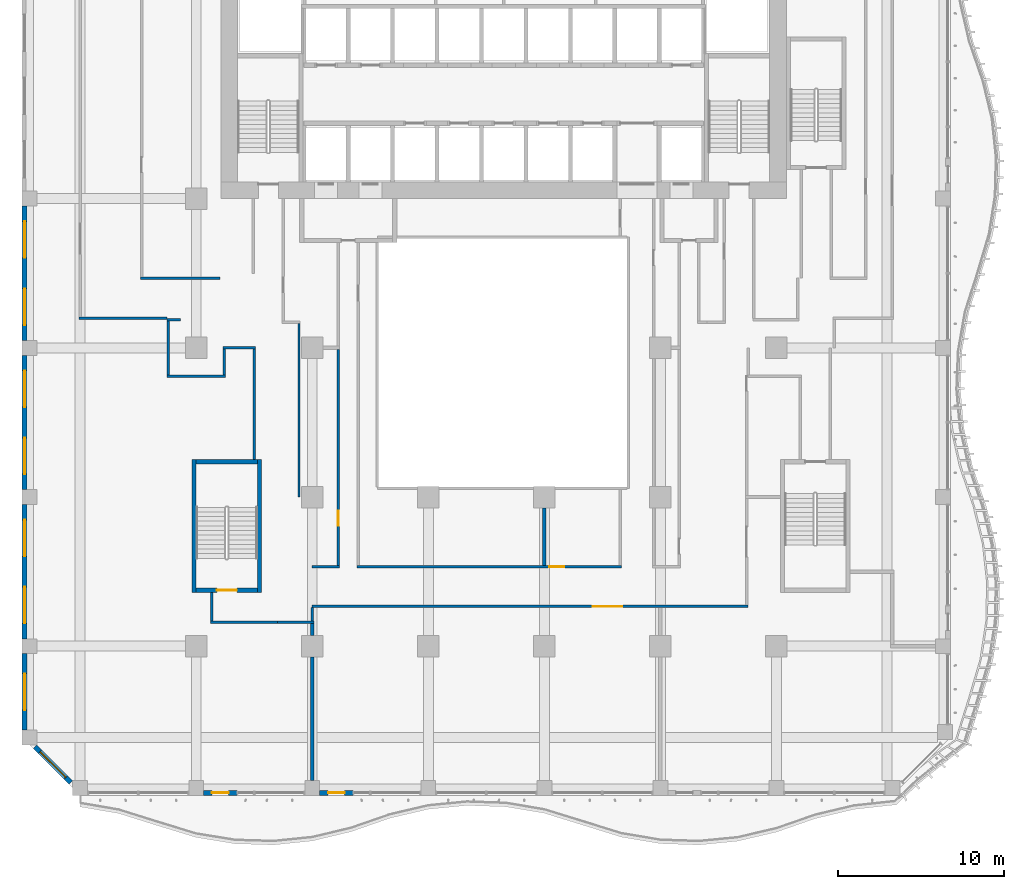
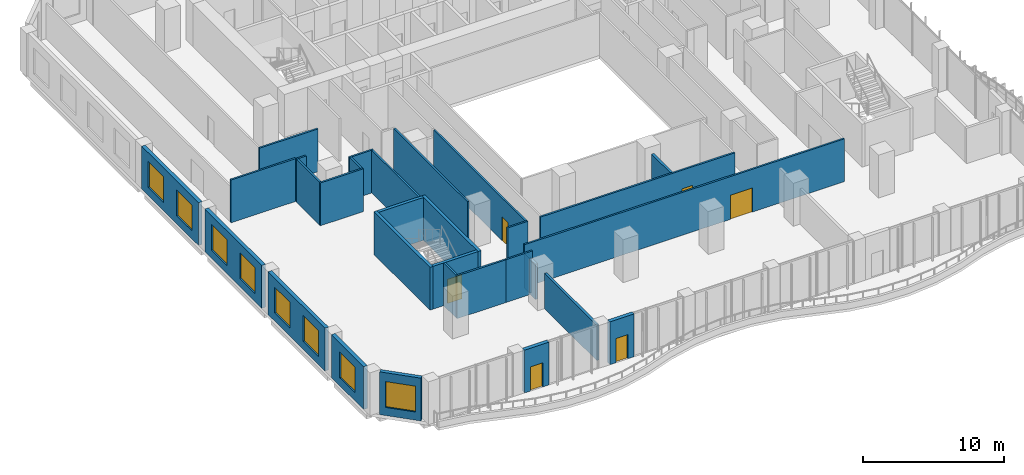
# One storey, part 12 of 27: 31 walls, 8 windows, 6 doors, 14 openings.
"""IFC4 building model written with IfcOpenShell, lengths in metres."""

from ifc_helpers import new_model, si_unit, direction, frame, frame_2d, origin, place, context, subcontext, project, spatial, rectangle, extrude, source, transform, mapped, material, layer, layer_set, type_object, element, fill, save


model = new_model("IFC4")

# Units and contexts
model_context = context("Model", 3, precision=1e-05, world=origin(), true_north=direction((0.0, 1.0)))
body_context = subcontext(model_context, "Body", "Model", "MODEL_VIEW")
ifc_project = project(units=[si_unit("LENGTHUNIT", "METRE"), si_unit("AREAUNIT", "SQUARE_METRE"), si_unit("VOLUMEUNIT", "CUBIC_METRE"), si_unit("PLANEANGLEUNIT", "RADIAN"), si_unit("MASSUNIT", "GRAM", prefix="KILO")], contexts=[model_context])

# Site, building, storey
site_placement = place(None, origin())
site = spatial("IfcSite", under=ifc_project, at=site_placement, CompositionType="ELEMENT")
building_placement = place(site_placement, origin())
building = spatial("IfcBuilding", under=site, at=building_placement, Name="Kilnfold Tower and Market Hall", CompositionType="ELEMENT")
storey_placement = place(building_placement, frame((0.0, 0.0, 43.0)))
storey = spatial("IfcBuildingStorey", under=building, at=storey_placement, Name="L09", CompositionType="ELEMENT", Elevation=43.0)

# Wall
ifc_material_1 = material(Name="Gypsum board on steel studs", Category="steel")
ifc_layer_1 = layer(ifc_material_1, 0.14990234375)
ifc_layer_set_1 = layer_set([ifc_layer_1], Name="Gypsum board on steel studs")
wall_type_1 = type_object("IfcWallType", Name="WALL CORRIDOR 150", PredefinedType="PARTITIONING", material=ifc_layer_set_1)
wall_1_placement = place(storey_placement, frame((-20.875, 3.199951171875, 0.0), z_axis=(0.0, 0.0, 1.0), x_axis=(1.0, 0.0, 0.0)))
element("IfcWall", 1, at=wall_1_placement, inside=storey, type_object=wall_type_1, Name="Partition LY08.2", PredefinedType="PARTITIONING", context=body_context, shape_type="SweptSolid", body=[
    extrude(rectangle(XDim=4.81494140625, YDim=0.14990234375, at=frame_2d((2.407470703125, 0.0))), origin(), (0.0, 0.0, 1.0), 3.719970703125),
])

# Wall, opening, door
wall_2_placement = place(storey_placement, frame((-7.804931640625, -14.199951171875, 0.0), z_axis=(0.0, 0.0, 1.0), x_axis=(1.0, 0.0, 0.0)))
wall_2 = element("IfcWall", 2, at=wall_2_placement, inside=storey, type_object=wall_type_1, Name="Partition LY08.8", PredefinedType="PARTITIONING", context=body_context, shape_type="SweptSolid", body=[
    extrude(rectangle(XDim=15.969970703125, YDim=0.14990234375, at=frame_2d((7.98486328125, 0.0))), origin(), (0.0, 0.0, 1.0), 3.719970703125),
])
opening_1_placement = place(wall_2_placement, frame((11.596923828125, 0.0, 0.0)))
opening_1 = element("IfcOpeningElement", 3, at=opening_1_placement, cuts=wall_2, Name="Opening D2", PredefinedType="OPENING", context=body_context, shape_type="SweptSolid", body=[
    extrude(rectangle(XDim=0.89990234375, YDim=2.10009765625, at=frame_2d((0.449951171875, 1.050048828125))), frame((0.0, 0.0849609375, 0.0), z_axis=(0.0, -1.0, 0.0), x_axis=(1.0, 0.0, 0.0)), (0.0, 0.0, 1.0), 0.169921875),
])
ifc_material_2 = material(Name="Timber veneer door leaf in steel frame", Category="steel")
door_type_1 = type_object("IfcDoorType", Name="DOOR ROOM 900 X2100", OperationType="NOTDEFINED", PredefinedType="DOOR", material=ifc_material_2)
door_1_placement = place(opening_1_placement, origin())
door_1 = element("IfcDoor", 4, at=door_1_placement, inside=storey, type_object=door_type_1, Name="Door D2", OperationType="SINGLE_SWING_LEFT", OverallHeight=2.10009765625, OverallWidth=0.89990234375, PredefinedType="DOOR", context=body_context, shape_type="SweptSolid", body=[
    extrude(rectangle(XDim=0.89990234375, YDim=2.10009765625, at=frame_2d((0.449951171875, 1.050048828125))), frame((0.0, 0.02490234375, 0.0), z_axis=(0.0, -1.0, 0.0), x_axis=(1.0, 0.0, 0.0)), (0.0, 0.0, 1.0), 0.050048828125),
])
fill(opening_1, door_1)

# Walls
wall_3_placement = place(storey_placement, frame((-11.300048828125, -10.010009765625, 0.0), z_axis=(0.0, 0.0, 1.0), x_axis=(0.0, 1.0, 0.0)))
element("IfcWall", 5, at=wall_3_placement, inside=storey, type_object=wall_type_1, Name="Partition LY08.9", PredefinedType="PARTITIONING", context=body_context, shape_type="SweptSolid", body=[
    extrude(rectangle(XDim=10.485107421875, YDim=0.14990234375, at=frame_2d((5.24267578125, 0.0))), origin(), (0.0, 0.0, 1.0), 3.719970703125),
])
wall_4_placement = place(storey_placement, frame((-10.510009765625, -14.199951171875, 0.0), z_axis=(0.0, 0.0, 1.0), x_axis=(1.0, 0.0, 0.0)))
element("IfcWall", 6, at=wall_4_placement, inside=storey, type_object=wall_type_1, Name="Partition LY08.10", PredefinedType="PARTITIONING", context=body_context, shape_type="SweptSolid", body=[
    extrude(rectangle(XDim=1.655029296875, YDim=0.14990234375, at=frame_2d((0.82763671875, 0.0))), origin(), (0.0, 0.0, 1.0), 3.719970703125),
])

# Wall, opening, door
wall_5_placement = place(storey_placement, frame((-8.929931640625, -14.125, 0.0), z_axis=(0.0, 0.0, 1.0), x_axis=(0.0, 1.0, 0.0)))
wall_5 = element("IfcWall", 7, at=wall_5_placement, inside=storey, type_object=wall_type_1, Name="Partition LY08.11", PredefinedType="PARTITIONING", context=body_context, shape_type="SweptSolid", body=[
    extrude(rectangle(XDim=13.034912109375, YDim=0.14990234375, at=frame_2d((6.517578125, 0.0))), origin(), (0.0, 0.0, 1.0), 3.719970703125),
])
opening_2_placement = place(wall_5_placement, frame((2.406982421875, 0.0, 0.0)))
opening_2 = element("IfcOpeningElement", 8, at=opening_2_placement, cuts=wall_5, Name="Opening D2", PredefinedType="OPENING", context=body_context, shape_type="SweptSolid", body=[
    extrude(rectangle(XDim=0.89990234375, YDim=2.10009765625, at=frame_2d((0.449951171875, 1.050048828125))), frame((0.0, 0.0849609375, 0.0), z_axis=(0.0, -1.0, 0.0), x_axis=(1.0, 0.0, 0.0)), (0.0, 0.0, 1.0), 0.169921875),
])
door_2_placement = place(opening_2_placement, origin())
door_2 = element("IfcDoor", 9, at=door_2_placement, inside=storey, type_object=door_type_1, Name="Door D2", OperationType="SINGLE_SWING_RIGHT", OverallHeight=2.10009765625, OverallWidth=0.89990234375, PredefinedType="DOOR", context=body_context, shape_type="SweptSolid", body=[
    extrude(rectangle(XDim=0.89990234375, YDim=2.10009765625, at=frame_2d((0.449951171875, 1.050048828125))), frame((0.0, 0.02490234375, 0.0), z_axis=(0.0, -1.0, 0.0), x_axis=(1.0, 0.0, 0.0)), (0.0, 0.0, 1.0), 0.050048828125),
])
fill(opening_2, door_2)

# Walls
wall_6_placement = place(storey_placement, frame((-16.625, -17.550048828125, 0.0), z_axis=(0.0, 0.0, 1.0), x_axis=(1.0, 0.0, 0.0)))
element("IfcWall", 10, at=wall_6_placement, inside=storey, type_object=wall_type_1, Name="Partition LY08.30", PredefinedType="PARTITIONING", context=body_context, shape_type="SweptSolid", body=[
    extrude(rectangle(XDim=4.02294921875, YDim=0.14990234375, at=frame_2d((2.011474609375, 0.0))), origin(), (0.0, 0.0, 1.0), 3.719970703125),
])
wall_7_placement = place(storey_placement, frame((-16.550048828125, -15.75, 0.0), z_axis=(0.0, 0.0, 1.0), x_axis=(0.0, -1.0, 0.0)))
element("IfcWall", 11, at=wall_7_placement, inside=storey, type_object=wall_type_1, Name="Partition LY08.31", PredefinedType="PARTITIONING", context=body_context, shape_type="SweptSolid", body=[
    extrude(rectangle(XDim=1.72509765625, YDim=0.14990234375, at=frame_2d((0.862548828125, 0.0))), origin(), (0.0, 0.0, 1.0), 3.719970703125),
])
wall_8_placement = place(storey_placement, frame((-14.0, -1.074951171875, 0.0), z_axis=(0.0, 0.0, 1.0), x_axis=(0.0, -1.0, 0.0)))
element("IfcWall", 12, at=wall_8_placement, inside=storey, type_object=wall_type_1, Name="Partition LY08.32", PredefinedType="PARTITIONING", context=body_context, shape_type="SweptSolid", body=[
    extrude(rectangle(XDim=6.675048828125, YDim=0.14990234375, at=frame_2d((3.33740234375, 0.0))), origin(), (0.0, 0.0, 1.0), 3.719970703125),
])
wall_9_placement = place(storey_placement, frame((-15.875, -1.0, 0.0), z_axis=(0.0, 0.0, 1.0), x_axis=(1.0, 0.0, 0.0)))
element("IfcWall", 13, at=wall_9_placement, inside=storey, type_object=wall_type_1, Name="Partition LY08.33", PredefinedType="PARTITIONING", context=body_context, shape_type="SweptSolid", body=[
    extrude(rectangle(XDim=1.949951171875, YDim=0.14990234375, at=frame_2d((0.97509765625, 0.0))), origin(), (0.0, 0.0, 1.0), 3.719970703125),
])
wall_10_placement = place(storey_placement, frame((-15.800048828125, -2.625, 0.0), z_axis=(0.0, 0.0, 1.0), x_axis=(0.0, 1.0, 0.0)))
element("IfcWall", 14, at=wall_10_placement, inside=storey, type_object=wall_type_1, Name="Partition LY08.34", PredefinedType="PARTITIONING", context=body_context, shape_type="SweptSolid", body=[
    extrude(rectangle(XDim=1.550048828125, YDim=0.14990234375, at=frame_2d((0.77490234375, 0.0))), origin(), (0.0, 0.0, 1.0), 3.719970703125),
])
wall_11_placement = place(storey_placement, frame((-19.27490234375, -2.699951171875, 0.0), z_axis=(0.0, 0.0, 1.0), x_axis=(1.0, 0.0, 0.0)))
element("IfcWall", 15, at=wall_11_placement, inside=storey, type_object=wall_type_1, Name="Partition LY08.35", PredefinedType="PARTITIONING", context=body_context, shape_type="SweptSolid", body=[
    extrude(rectangle(XDim=3.5498046875, YDim=0.14990234375, at=frame_2d((1.77490234375, 0.0))), origin(), (0.0, 0.0, 1.0), 3.719970703125),
])
wall_12_placement = place(storey_placement, frame((-19.199951171875, 0.625, 0.0), z_axis=(0.0, 0.0, 1.0), x_axis=(0.0, -1.0, 0.0)))
element("IfcWall", 16, at=wall_12_placement, inside=storey, type_object=wall_type_1, Name="Partition LY08.36", PredefinedType="PARTITIONING", context=body_context, shape_type="SweptSolid", body=[
    extrude(rectangle(XDim=3.25, YDim=0.14990234375, at=frame_2d((1.625, 0.0))), origin(), (0.0, 0.0, 1.0), 3.719970703125),
])
wall_13_placement = place(storey_placement, frame((-19.27490234375, 0.699951171875, 0.0), z_axis=(0.0, 0.0, 1.0), x_axis=(1.0, 0.0, 0.0)))
element("IfcWall", 17, at=wall_13_placement, inside=storey, type_object=wall_type_1, Name="Partition LY08.37", PredefinedType="PARTITIONING", context=body_context, shape_type="SweptSolid", body=[
    extrude(rectangle(XDim=0.81494140625, YDim=0.14990234375, at=frame_2d((0.407470703125, 0.0))), origin(), (0.0, 0.0, 1.0), 3.719970703125),
])
wall_14_placement = place(storey_placement, frame((-24.574951171875, 0.800048828125, 0.0), z_axis=(0.0, 0.0, 1.0), x_axis=(1.0, 0.0, 0.0)))
element("IfcWall", 18, at=wall_14_placement, inside=storey, type_object=wall_type_1, Name="Partition LY08.38", PredefinedType="PARTITIONING", context=body_context, shape_type="SweptSolid", body=[
    extrude(rectangle(XDim=5.300048828125, YDim=0.14990234375, at=frame_2d((2.64990234375, 0.0))), origin(), (0.0, 0.0, 1.0), 3.719970703125),
])
wall_15_placement = place(storey_placement, frame((-12.60205078125, -17.552001953125, 0.0), z_axis=(0.0, 0.0, 1.0), x_axis=(1.0, 0.0, 0.0)))
element("IfcWall", 19, at=wall_15_placement, inside=storey, type_object=wall_type_1, Name="Partition LY08.40", PredefinedType="PARTITIONING", context=body_context, shape_type="SweptSolid", body=[
    extrude(rectangle(XDim=2.2041015625, YDim=0.14990234375, at=frame_2d((1.10205078125, 0.0))), origin(), (0.0, 0.0, 1.0), 3.719970703125),
])

# Wall, opening, door
wall_16_placement = place(storey_placement, frame((-10.510009765625, -16.60009765625, 0.0), z_axis=(0.0, 0.0, 1.0), x_axis=(1.0, 0.0, 0.0)))
wall_16 = element("IfcWall", 20, at=wall_16_placement, inside=storey, type_object=wall_type_1, Name="Partition LY08.41", PredefinedType="PARTITIONING", context=body_context, shape_type="SweptSolid", body=[
    extrude(rectangle(XDim=26.284912109375, YDim=0.14990234375, at=frame_2d((13.142578125, 0.0))), origin(), (0.0, 0.0, 1.0), 3.719970703125),
])
opening_3_placement = place(wall_16_placement, frame((16.91796875, 0.0, 0.0)))
opening_3 = element("IfcOpeningElement", 21, at=opening_3_placement, cuts=wall_16, Name="Opening D5", PredefinedType="OPENING", context=body_context, shape_type="SweptSolid", body=[
    extrude(rectangle(XDim=1.800048828125, YDim=2.10009765625, at=frame_2d((0.89990234375, 1.050048828125))), frame((0.0, 0.0849609375, 0.0), z_axis=(0.0, -1.0, 0.0), x_axis=(1.0, 0.0, 0.0)), (0.0, 0.0, 1.0), 0.169921875),
])
ifc_material_3 = material(Name="Timber veneer door leaf in steel frame", Category="steel")
door_type_2 = type_object("IfcDoorType", Name="DOOR DOUBLE 1800 X2100", OperationType="NOTDEFINED", PredefinedType="DOOR", material=ifc_material_3)
door_3_placement = place(opening_3_placement, origin())
door_3 = element("IfcDoor", 22, at=door_3_placement, inside=storey, type_object=door_type_2, Name="Door D5", OperationType="DOUBLE_DOOR_SINGLE_SWING", OverallHeight=2.10009765625, OverallWidth=1.800048828125, PredefinedType="DOOR", context=body_context, shape_type="SweptSolid", body=[
    extrude(rectangle(XDim=1.800048828125, YDim=2.10009765625, at=frame_2d((0.89990234375, 1.050048828125))), frame((0.0, 0.02490234375, 0.0), z_axis=(0.0, -1.0, 0.0), x_axis=(1.0, 0.0, 0.0)), (0.0, 0.0, 1.0), 0.050048828125),
])
fill(opening_3, door_3)

# Walls
wall_17_placement = place(storey_placement, frame((-10.498046875, -17.47705078125, 0.0), z_axis=(0.0, 0.0, 1.0), x_axis=(0.0, 1.0, 0.0)))
element("IfcWall", 23, at=wall_17_placement, inside=storey, type_object=wall_type_1, Name="Partition LY08.42", PredefinedType="PARTITIONING", context=body_context, shape_type="SweptSolid", body=[
    extrude(rectangle(XDim=0.802001953125, YDim=0.14990234375, at=frame_2d((0.40087890625, 0.0))), origin(), (0.0, 0.0, 1.0), 3.070068359375),
])
ifc_material_4 = material(Name="Gypsum board on steel studs", Category="steel")
ifc_layer_2 = layer(ifc_material_4, 0.199951171875)
ifc_layer_set_2 = layer_set([ifc_layer_2], Name="Gypsum board on steel studs")
wall_type_2 = type_object("IfcWallType", Name="WALL PARTY 200", PredefinedType="PARTITIONING", material=ifc_layer_set_2)
wall_18_placement = place(storey_placement, frame((3.5, -14.1240234375, 0.0), z_axis=(0.0, 0.0, 1.0), x_axis=(0.0, 1.0, 0.0)))
element("IfcWall", 24, at=wall_18_placement, inside=storey, type_object=wall_type_2, Name="Partition LY08.58", PredefinedType="PARTITIONING", context=body_context, shape_type="SweptSolid", body=[
    extrude(rectangle(XDim=3.47412109375, YDim=0.199951171875, at=frame_2d((1.737060546875, 0.0))), origin(), (0.0, 0.0, 1.0), 3.070068359375),
])
wall_19_placement = place(storey_placement, frame((-10.5, -18.35009765625, 0.0), z_axis=(0.0, 0.0, 1.0), x_axis=(0.0, 1.0, 0.0)))
element("IfcWall", 25, at=wall_19_placement, inside=storey, type_object=wall_type_2, Name="Partition LY08.60", PredefinedType="PARTITIONING", context=body_context, shape_type="SweptSolid", body=[
    extrude(rectangle(XDim=0.72314453125, YDim=0.199951171875, at=frame_2d((0.361572265625, 0.0))), origin(), (0.0, 0.0, 1.0), 3.070068359375),
])
wall_20_placement = place(storey_placement, frame((-10.5, -27.10009765625, 0.0), z_axis=(0.0, 0.0, 1.0), x_axis=(0.0, 1.0, 0.0)))
element("IfcWall", 26, at=wall_20_placement, inside=storey, type_object=wall_type_2, Name="Partition LY08.61", PredefinedType="PARTITIONING", context=body_context, shape_type="SweptSolid", body=[
    extrude(rectangle(XDim=7.4501953125, YDim=0.199951171875, at=frame_2d((3.72509765625, 0.0))), origin(), (0.0, 0.0, 1.0), 3.070068359375),
])

# Wall, opening, door
ifc_material_5 = material(Name="Concrete C80", Category="concrete")
ifc_layer_3 = layer(ifc_material_5, 0.25)
ifc_layer_set_3 = layer_set([ifc_layer_3], Name="Concrete C80")
wall_type_3 = type_object("IfcWallType", Name="CORE WALL 250 C80", PredefinedType="SHEAR", material=ifc_layer_set_3)
shared_shape_1 = source(origin(), body_context, "Body", "SweptSolid", [
    extrude(rectangle(XDim=3.699951171875, YDim=0.25, at=frame_2d((1.85009765625, 0.0))), origin(), (0.0, 0.0, 1.0), 3.719970703125),
])
wall_21_placement = place(storey_placement, frame((-17.5, -15.625, 0.0), z_axis=(0.0, 0.0, 1.0), x_axis=(1.0, 0.0, 0.0)))
wall_21 = element("IfcWall", 27, at=wall_21_placement, inside=storey, type_object=wall_type_3, Name="Stair enclosure ST3", PredefinedType="SHEAR", context=body_context, shape_type="MappedRepresentation", body=[
    mapped(shared_shape_1, transform((0.0, 0.0, 0.0))),
])
opening_4_placement = place(wall_21_placement, frame((1.25, 0.0, 0.0)))
opening_4 = element("IfcOpeningElement", 28, at=opening_4_placement, cuts=wall_21, Name="Opening SD1", PredefinedType="OPENING", context=body_context, shape_type="SweptSolid", body=[
    extrude(rectangle(XDim=1.199951171875, YDim=2.10009765625, at=frame_2d((0.60009765625, 1.050048828125))), frame((0.0, 0.135009765625, 0.0), z_axis=(0.0, -1.0, 0.0), x_axis=(1.0, 0.0, 0.0)), (0.0, 0.0, 1.0), 0.27001953125),
])
ifc_material_6 = material(Name="Steel door set with fire-resisting leaf", Category="steel")
door_type_3 = type_object("IfcDoorType", Name="STAIR FLOOR DOOR 1200X2100", OperationType="NOTDEFINED", PredefinedType="DOOR", material=ifc_material_6)
door_4_placement = place(opening_4_placement, origin())
door_4 = element("IfcDoor", 29, at=door_4_placement, inside=storey, type_object=door_type_3, Name="Exit stair ST3 door", OperationType="DOUBLE_DOOR_SINGLE_SWING", OverallHeight=2.10009765625, OverallWidth=1.199951171875, PredefinedType="DOOR", context=body_context, shape_type="SweptSolid", body=[
    extrude(rectangle(XDim=1.199951171875, YDim=2.10009765625, at=frame_2d((0.60009765625, 1.050048828125))), frame((0.0, 0.02490234375, 0.0), z_axis=(0.0, -1.0, 0.0), x_axis=(1.0, 0.0, 0.0)), (0.0, 0.0, 1.0), 0.050048828125),
])
fill(opening_4, door_4)

# Walls
wall_22_placement = place(storey_placement, frame((-17.5, -7.875, 0.0), z_axis=(0.0, 0.0, 1.0), x_axis=(1.0, 0.0, 0.0)))
element("IfcWall", 30, at=wall_22_placement, inside=storey, type_object=wall_type_3, Name="Stair enclosure ST3", PredefinedType="SHEAR", context=body_context, shape_type="MappedRepresentation", body=[
    mapped(shared_shape_1, transform((0.0, 0.0, 0.0))),
])
shared_shape_2 = source(origin(), body_context, "Body", "SweptSolid", [
    extrude(rectangle(XDim=8.0, YDim=0.25, at=frame_2d((4.0, 0.0))), origin(), (0.0, 0.0, 1.0), 3.719970703125),
])
for number, where, z_axis, x_axis, name in (
    (31, (-17.625, -15.75, 0.0), (0.0, 0.0, 1.0), (0.0, 1.0, 0.0), "Stair enclosure ST3"),
    (32, (-13.675048828125, -15.75, 0.0), (0.0, 0.0, 1.0), (0.0, 1.0, 0.0), "Stair enclosure ST3"),
):
    element("IfcWall", number, at=place(storey_placement, frame(where, z_axis=z_axis, x_axis=x_axis)), inside=storey, type_object=wall_type_3, Name=name, PredefinedType="SHEAR", context=body_context, shape_type="MappedRepresentation", body=[
        mapped(shared_shape_2, transform((0.0, 0.0, 0.0))),
    ])

# Wall, opening, door
ifc_material_7 = material(Name="Precast concrete C50/60", Category="concrete")
ifc_layer_4 = layer(ifc_material_7, 0.300048828125)
ifc_layer_set_4 = layer_set([ifc_layer_4], Name="Precast concrete C50/60")
wall_type_4 = type_object("IfcWallType", Name="PRECAST WALL 300", PredefinedType="SOLIDWALL", material=ifc_layer_set_4)
shared_shape_3 = source(origin(), body_context, "Body", "SweptSolid", [
    extrude(rectangle(XDim=2.0, YDim=0.300048828125, at=frame_2d((1.0, 0.0))), origin(), (0.0, 0.0, 1.0), 3.719970703125),
])
wall_23_placement = place(storey_placement, frame((-17.050048828125, -27.85009765625, 0.0), z_axis=(0.0, 0.0, 1.0), x_axis=(1.0, 0.0, 0.0)))
wall_23 = element("IfcWall", 33, at=wall_23_placement, inside=storey, type_object=wall_type_4, Name="External wall L09 S", PredefinedType="SOLIDWALL", context=body_context, shape_type="MappedRepresentation", body=[
    mapped(shared_shape_3, transform((0.0, 0.0, 0.0))),
])
opening_5_placement = place(wall_23_placement, frame((0.5, 0.0, 0.0)))
opening_5 = element("IfcOpeningElement", 34, at=opening_5_placement, cuts=wall_23, Name="Opening BD1", PredefinedType="OPENING", context=body_context, shape_type="SweptSolid", body=[
    extrude(rectangle(XDim=1.0, YDim=2.10009765625, at=frame_2d((0.5, 1.050048828125))), frame((0.0, 0.16015625, 0.0), z_axis=(0.0, -1.0, 0.0), x_axis=(1.0, 0.0, 0.0)), (0.0, 0.0, 1.0), 0.320068359375),
])
ifc_material_8 = material(Name="Aluminium frame and double glazing", Category="aluminium")
door_type_4 = type_object("IfcDoorType", Name="BALCONY DOOR 1000X2100", OperationType="NOTDEFINED", PredefinedType="DOOR", material=ifc_material_8)
door_5_placement = place(opening_5_placement, origin())
door_5 = element("IfcDoor", 35, at=door_5_placement, inside=storey, type_object=door_type_4, Name="Balcony door BD1 L09 S-1", OperationType="SINGLE_SWING_LEFT", OverallHeight=2.10009765625, OverallWidth=1.0, PredefinedType="DOOR", context=body_context, shape_type="SweptSolid", body=[
    extrude(rectangle(XDim=1.0, YDim=2.10009765625, at=frame_2d((0.5, 1.050048828125))), frame((0.0, 0.02490234375, 0.0), z_axis=(0.0, -1.0, 0.0), x_axis=(1.0, 0.0, 0.0)), (0.0, 0.0, 1.0), 0.050048828125),
])
fill(opening_5, door_5)

wall_24_placement = place(storey_placement, frame((-10.050048828125, -27.85009765625, 0.0), z_axis=(0.0, 0.0, 1.0), x_axis=(1.0, 0.0, 0.0)))
wall_24 = element("IfcWall", 36, at=wall_24_placement, inside=storey, type_object=wall_type_4, Name="External wall L09 S", PredefinedType="SOLIDWALL", context=body_context, shape_type="MappedRepresentation", body=[
    mapped(shared_shape_3, transform((0.0, 0.0, 0.0))),
])
opening_6_placement = place(wall_24_placement, frame((0.5, 0.0, 0.0)))
opening_6 = element("IfcOpeningElement", 37, at=opening_6_placement, cuts=wall_24, Name="Opening BD1", PredefinedType="OPENING", context=body_context, shape_type="SweptSolid", body=[
    extrude(rectangle(XDim=1.0, YDim=2.10009765625, at=frame_2d((0.5, 1.050048828125))), frame((0.0, 0.16015625, 0.0), z_axis=(0.0, -1.0, 0.0), x_axis=(1.0, 0.0, 0.0)), (0.0, 0.0, 1.0), 0.320068359375),
])
door_6_placement = place(opening_6_placement, origin())
door_6 = element("IfcDoor", 38, at=door_6_placement, inside=storey, type_object=door_type_4, Name="Balcony door BD1 L09 S-1", OperationType="SINGLE_SWING_LEFT", OverallHeight=2.10009765625, OverallWidth=1.0, PredefinedType="DOOR", context=body_context, shape_type="SweptSolid", body=[
    extrude(rectangle(XDim=1.0, YDim=2.10009765625, at=frame_2d((0.5, 1.050048828125))), frame((0.0, 0.02490234375, 0.0), z_axis=(0.0, -1.0, 0.0), x_axis=(1.0, 0.0, 0.0)), (0.0, 0.0, 1.0), 0.050048828125),
])
fill(opening_6, door_6)

# Wall, openings, windows
shared_shape_4 = source(origin(), body_context, "Body", "SweptSolid", [
    extrude(rectangle(XDim=8.10009765625, YDim=0.300048828125, at=frame_2d((4.050048828125, 0.0))), origin(), (0.0, 0.0, 1.0), 3.719970703125),
])
wall_25_placement = place(storey_placement, frame((-27.85009765625, 7.550048828125, 0.0), z_axis=(0.0, 0.0, 1.0), x_axis=(0.0, -1.0, 0.0)))
wall_25 = element("IfcWall", 39, at=wall_25_placement, inside=storey, type_object=wall_type_4, Name="External wall L09 W", PredefinedType="SOLIDWALL", context=body_context, shape_type="MappedRepresentation", body=[
    mapped(shared_shape_4, transform((0.0, 0.0, 0.0))),
])
opening_7_placement = place(wall_25_placement, frame((0.925048828125, 0.0, 0.699951171875)))
opening_7 = element("IfcOpeningElement", 40, at=opening_7_placement, cuts=wall_25, Name="Opening W1", PredefinedType="OPENING", context=body_context, shape_type="SweptSolid", body=[
    extrude(rectangle(XDim=2.199951171875, YDim=2.25, at=frame_2d((1.10009765625, 1.125))), frame((0.0, 0.16015625, 0.0), z_axis=(0.0, -1.0, 0.0), x_axis=(1.0, 0.0, 0.0)), (0.0, 0.0, 1.0), 0.320068359375),
])
opening_8_placement = place(wall_25_placement, frame((4.97509765625, 0.0, 0.699951171875)))
opening_8 = element("IfcOpeningElement", 41, at=opening_8_placement, cuts=wall_25, Name="Opening W1", PredefinedType="OPENING", context=body_context, shape_type="SweptSolid", body=[
    extrude(rectangle(XDim=2.199951171875, YDim=2.25, at=frame_2d((1.10009765625, 1.125))), frame((0.0, 0.16015625, 0.0), z_axis=(0.0, -1.0, 0.0), x_axis=(1.0, 0.0, 0.0)), (0.0, 0.0, 1.0), 0.320068359375),
])
ifc_material_9 = material(Name="Aluminium frame and double glazing", Category="aluminium")
window_type = type_object("IfcWindowType", Name="WINDOW W1 2200X2250", PartitioningType="SINGLE_PANEL", PredefinedType="WINDOW", material=ifc_material_9)
window_1_placement = place(opening_7_placement, origin())
window_1 = element("IfcWindow", 42, at=window_1_placement, inside=storey, type_object=window_type, Name="Window W1 L09 W-1", OverallHeight=2.25, OverallWidth=2.199951171875, PartitioningType="SINGLE_PANEL", PredefinedType="WINDOW", context=body_context, shape_type="SweptSolid", body=[
    extrude(rectangle(XDim=2.199951171875, YDim=2.25, at=frame_2d((1.10009765625, 1.125))), frame((0.0, 0.030029296875, 0.0), z_axis=(0.0, -1.0, 0.0), x_axis=(1.0, 0.0, 0.0)), (0.0, 0.0, 1.0), 0.06005859375),
])
fill(opening_7, window_1)
window_2_placement = place(opening_8_placement, origin())
window_2 = element("IfcWindow", 43, at=window_2_placement, inside=storey, type_object=window_type, Name="Window W1 L09 W-2", OverallHeight=2.25, OverallWidth=2.199951171875, PartitioningType="SINGLE_PANEL", PredefinedType="WINDOW", context=body_context, shape_type="SweptSolid", body=[
    extrude(rectangle(XDim=2.199951171875, YDim=2.25, at=frame_2d((1.10009765625, 1.125))), frame((0.0, 0.030029296875, 0.0), z_axis=(0.0, -1.0, 0.0), x_axis=(1.0, 0.0, 0.0)), (0.0, 0.0, 1.0), 0.06005859375),
])
fill(opening_8, window_2)

wall_26_placement = place(storey_placement, frame((-27.85009765625, -1.449951171875, 0.0), z_axis=(0.0, 0.0, 1.0), x_axis=(0.0, -1.0, 0.0)))
wall_26 = element("IfcWall", 44, at=wall_26_placement, inside=storey, type_object=wall_type_4, Name="External wall L09 W", PredefinedType="SOLIDWALL", context=body_context, shape_type="MappedRepresentation", body=[
    mapped(shared_shape_4, transform((0.0, 0.0, 0.0))),
])
opening_9_placement = place(wall_26_placement, frame((0.925048828125, 0.0, 0.699951171875)))
opening_9 = element("IfcOpeningElement", 45, at=opening_9_placement, cuts=wall_26, Name="Opening W1", PredefinedType="OPENING", context=body_context, shape_type="SweptSolid", body=[
    extrude(rectangle(XDim=2.199951171875, YDim=2.25, at=frame_2d((1.10009765625, 1.125))), frame((0.0, 0.16015625, 0.0), z_axis=(0.0, -1.0, 0.0), x_axis=(1.0, 0.0, 0.0)), (0.0, 0.0, 1.0), 0.320068359375),
])
opening_10_placement = place(wall_26_placement, frame((4.97509765625, 0.0, 0.699951171875)))
opening_10 = element("IfcOpeningElement", 46, at=opening_10_placement, cuts=wall_26, Name="Opening W1", PredefinedType="OPENING", context=body_context, shape_type="SweptSolid", body=[
    extrude(rectangle(XDim=2.199951171875, YDim=2.25, at=frame_2d((1.10009765625, 1.125))), frame((0.0, 0.16015625, 0.0), z_axis=(0.0, -1.0, 0.0), x_axis=(1.0, 0.0, 0.0)), (0.0, 0.0, 1.0), 0.320068359375),
])
window_3_placement = place(opening_9_placement, origin())
window_3 = element("IfcWindow", 47, at=window_3_placement, inside=storey, type_object=window_type, Name="Window W1 L09 W-1", OverallHeight=2.25, OverallWidth=2.199951171875, PartitioningType="SINGLE_PANEL", PredefinedType="WINDOW", context=body_context, shape_type="SweptSolid", body=[
    extrude(rectangle(XDim=2.199951171875, YDim=2.25, at=frame_2d((1.10009765625, 1.125))), frame((0.0, 0.030029296875, 0.0), z_axis=(0.0, -1.0, 0.0), x_axis=(1.0, 0.0, 0.0)), (0.0, 0.0, 1.0), 0.06005859375),
])
fill(opening_9, window_3)
window_4_placement = place(opening_10_placement, origin())
window_4 = element("IfcWindow", 48, at=window_4_placement, inside=storey, type_object=window_type, Name="Window W1 L09 W-2", OverallHeight=2.25, OverallWidth=2.199951171875, PartitioningType="SINGLE_PANEL", PredefinedType="WINDOW", context=body_context, shape_type="SweptSolid", body=[
    extrude(rectangle(XDim=2.199951171875, YDim=2.25, at=frame_2d((1.10009765625, 1.125))), frame((0.0, 0.030029296875, 0.0), z_axis=(0.0, -1.0, 0.0), x_axis=(1.0, 0.0, 0.0)), (0.0, 0.0, 1.0), 0.06005859375),
])
fill(opening_10, window_4)

wall_27_placement = place(storey_placement, frame((-27.85009765625, -10.449951171875, 0.0), z_axis=(0.0, 0.0, 1.0), x_axis=(0.0, -1.0, 0.0)))
wall_27 = element("IfcWall", 49, at=wall_27_placement, inside=storey, type_object=wall_type_4, Name="External wall L09 W", PredefinedType="SOLIDWALL", context=body_context, shape_type="MappedRepresentation", body=[
    mapped(shared_shape_4, transform((0.0, 0.0, 0.0))),
])
opening_11_placement = place(wall_27_placement, frame((0.925048828125, 0.0, 0.699951171875)))
opening_11 = element("IfcOpeningElement", 50, at=opening_11_placement, cuts=wall_27, Name="Opening W1", PredefinedType="OPENING", context=body_context, shape_type="SweptSolid", body=[
    extrude(rectangle(XDim=2.199951171875, YDim=2.25, at=frame_2d((1.10009765625, 1.125))), frame((0.0, 0.16015625, 0.0), z_axis=(0.0, -1.0, 0.0), x_axis=(1.0, 0.0, 0.0)), (0.0, 0.0, 1.0), 0.320068359375),
])
opening_12_placement = place(wall_27_placement, frame((4.97509765625, 0.0, 0.699951171875)))
opening_12 = element("IfcOpeningElement", 51, at=opening_12_placement, cuts=wall_27, Name="Opening W1", PredefinedType="OPENING", context=body_context, shape_type="SweptSolid", body=[
    extrude(rectangle(XDim=2.199951171875, YDim=2.25, at=frame_2d((1.10009765625, 1.125))), frame((0.0, 0.16015625, 0.0), z_axis=(0.0, -1.0, 0.0), x_axis=(1.0, 0.0, 0.0)), (0.0, 0.0, 1.0), 0.320068359375),
])
window_5_placement = place(opening_11_placement, origin())
window_5 = element("IfcWindow", 52, at=window_5_placement, inside=storey, type_object=window_type, Name="Window W1 L09 W-1", OverallHeight=2.25, OverallWidth=2.199951171875, PartitioningType="SINGLE_PANEL", PredefinedType="WINDOW", context=body_context, shape_type="SweptSolid", body=[
    extrude(rectangle(XDim=2.199951171875, YDim=2.25, at=frame_2d((1.10009765625, 1.125))), frame((0.0, 0.030029296875, 0.0), z_axis=(0.0, -1.0, 0.0), x_axis=(1.0, 0.0, 0.0)), (0.0, 0.0, 1.0), 0.06005859375),
])
fill(opening_11, window_5)
window_6_placement = place(opening_12_placement, origin())
window_6 = element("IfcWindow", 53, at=window_6_placement, inside=storey, type_object=window_type, Name="Window W1 L09 W-2", OverallHeight=2.25, OverallWidth=2.199951171875, PartitioningType="SINGLE_PANEL", PredefinedType="WINDOW", context=body_context, shape_type="SweptSolid", body=[
    extrude(rectangle(XDim=2.199951171875, YDim=2.25, at=frame_2d((1.10009765625, 1.125))), frame((0.0, 0.030029296875, 0.0), z_axis=(0.0, -1.0, 0.0), x_axis=(1.0, 0.0, 0.0)), (0.0, 0.0, 1.0), 0.06005859375),
])
fill(opening_12, window_6)

# Wall, opening, window
shared_shape_5 = source(origin(), body_context, "Body", "SweptSolid", [
    extrude(rectangle(XDim=4.60009765625, YDim=0.300048828125, at=frame_2d((2.300048828125, 0.0))), origin(), (0.0, 0.0, 1.0), 3.719970703125),
])
wall_28_placement = place(storey_placement, frame((-27.85009765625, -19.449951171875, 0.0), z_axis=(0.0, 0.0, 1.0), x_axis=(0.0, -1.0, 0.0)))
wall_28 = element("IfcWall", 54, at=wall_28_placement, inside=storey, type_object=wall_type_4, Name="External wall L09 W", PredefinedType="SOLIDWALL", context=body_context, shape_type="MappedRepresentation", body=[
    mapped(shared_shape_5, transform((0.0, 0.0, 0.0))),
])
opening_13_placement = place(wall_28_placement, frame((1.199951171875, 0.0, 0.699951171875)))
opening_13 = element("IfcOpeningElement", 55, at=opening_13_placement, cuts=wall_28, Name="Opening W1", PredefinedType="OPENING", context=body_context, shape_type="SweptSolid", body=[
    extrude(rectangle(XDim=2.199951171875, YDim=2.25, at=frame_2d((1.10009765625, 1.125))), frame((0.0, 0.16015625, 0.0), z_axis=(0.0, -1.0, 0.0), x_axis=(1.0, 0.0, 0.0)), (0.0, 0.0, 1.0), 0.320068359375),
])
window_7_placement = place(opening_13_placement, origin())
window_7 = element("IfcWindow", 56, at=window_7_placement, inside=storey, type_object=window_type, Name="Window W1 L09 W-1", OverallHeight=2.25, OverallWidth=2.199951171875, PartitioningType="SINGLE_PANEL", PredefinedType="WINDOW", context=body_context, shape_type="SweptSolid", body=[
    extrude(rectangle(XDim=2.199951171875, YDim=2.25, at=frame_2d((1.10009765625, 1.125))), frame((0.0, 0.030029296875, 0.0), z_axis=(0.0, -1.0, 0.0), x_axis=(1.0, 0.0, 0.0)), (0.0, 0.0, 1.0), 0.06005859375),
])
fill(opening_13, window_7)

shared_shape_6 = source(origin(), body_context, "Body", "SweptSolid", [
    extrude(rectangle(XDim=3.040771484375, YDim=0.300048828125, at=frame_2d((1.5205078125, 0.0))), origin(), (0.0, 0.0, 1.0), 3.719970703125),
])
wall_29_placement = place(storey_placement, frame((-27.218994140625, -25.06884765625, 0.0), z_axis=(0.0, 0.0, 1.0), x_axis=(0.707106781187, -0.707106781187, 0.0)))
wall_29 = element("IfcWall", 57, at=wall_29_placement, inside=storey, type_object=wall_type_4, Name="External wall L09 SW", PredefinedType="SOLIDWALL", context=body_context, shape_type="MappedRepresentation", body=[
    mapped(shared_shape_6, transform((0.0, 0.0, 0.0))),
])
opening_14_placement = place(wall_29_placement, frame((0.42041015625, 0.0, 0.699951171875)))
opening_14 = element("IfcOpeningElement", 58, at=opening_14_placement, cuts=wall_29, Name="Opening W1", PredefinedType="OPENING", context=body_context, shape_type="SweptSolid", body=[
    extrude(rectangle(XDim=2.199951171875, YDim=2.25, at=frame_2d((1.10009765625, 1.125))), frame((0.0, 0.16015625, 0.0), z_axis=(0.0, -1.0, 0.0), x_axis=(1.0, 0.0, 0.0)), (0.0, 0.0, 1.0), 0.320068359375),
])
window_8_placement = place(opening_14_placement, origin())
window_8 = element("IfcWindow", 59, at=window_8_placement, inside=storey, type_object=window_type, Name="Window W1 L09 SW-1", OverallHeight=2.25, OverallWidth=2.199951171875, PartitioningType="SINGLE_PANEL", PredefinedType="WINDOW", context=body_context, shape_type="SweptSolid", body=[
    extrude(rectangle(XDim=2.199951171875, YDim=2.25, at=frame_2d((1.10009765625, 1.125))), frame((0.0, 0.030029296875, 0.0), z_axis=(0.0, -1.0, 0.0), x_axis=(1.0, 0.0, 0.0)), (0.0, 0.0, 1.0), 0.06005859375),
])
fill(opening_14, window_8)

save(model, "model.ifc")
